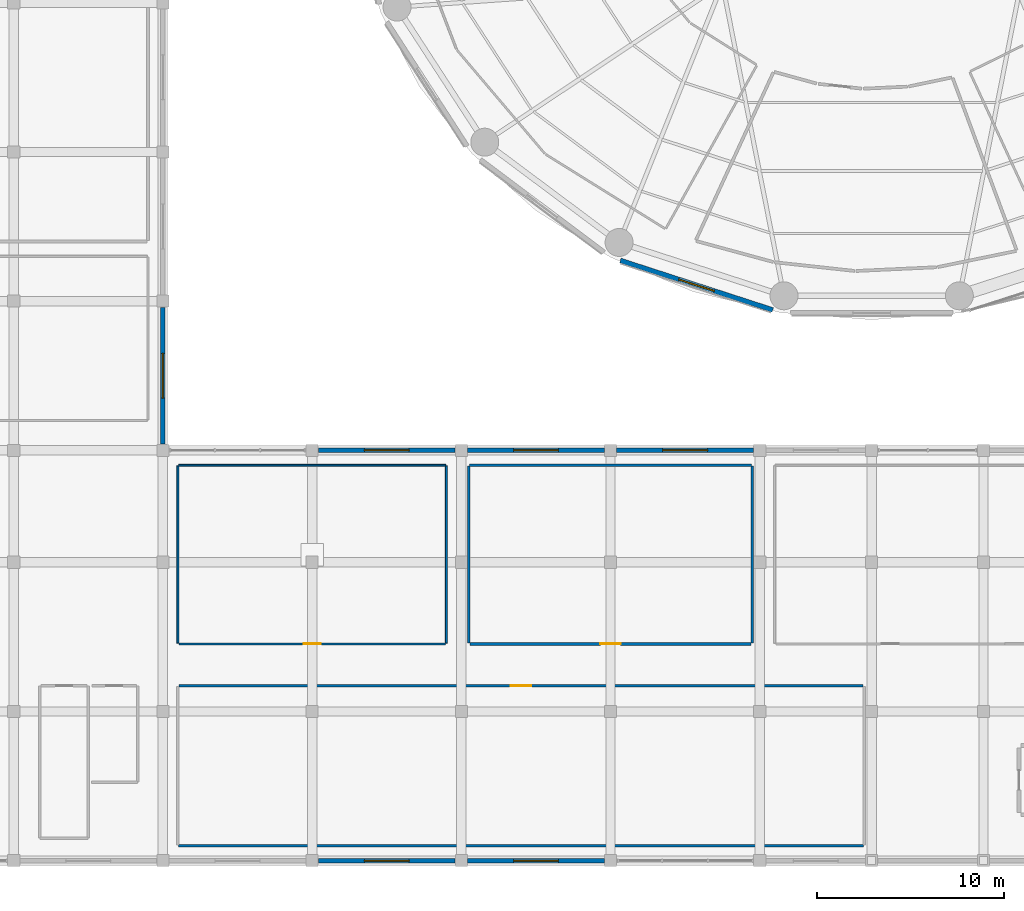
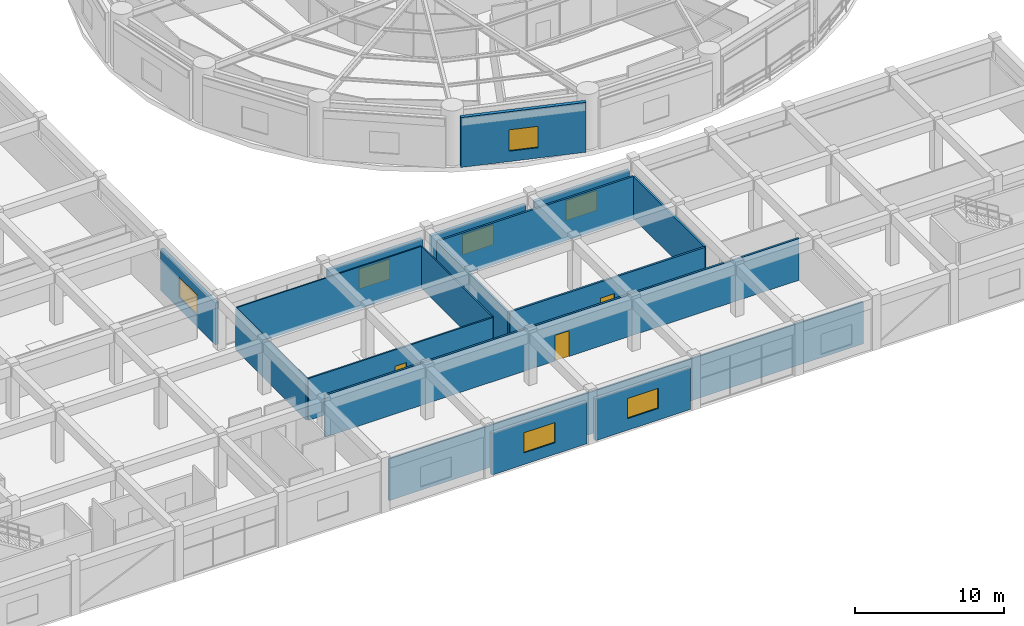
# One storey, part 39 of 52: 17 walls, 7 windows, 3 doors, 10 openings.
"""IFC4 building model written with IfcOpenShell, lengths in metres."""

from ifc_helpers import new_model, si_unit, direction, frame, frame_2d, origin, place, context, subcontext, project, spatial, rectangle, extrude, material, layer, layer_set, type_object, element, fill, save


model = new_model("IFC4")

# Units and contexts
model_context = context("Model", 3, precision=1e-05, world=origin(), true_north=direction((0.0, 1.0)))
body_context = subcontext(model_context, "Body", "Model", "MODEL_VIEW")
ifc_project = project(units=[si_unit("LENGTHUNIT", "METRE"), si_unit("AREAUNIT", "SQUARE_METRE"), si_unit("VOLUMEUNIT", "CUBIC_METRE"), si_unit("PLANEANGLEUNIT", "RADIAN"), si_unit("MASSUNIT", "GRAM", prefix="KILO")], contexts=[model_context])

# Site, building, storey
site_placement = place(None, origin())
site = spatial("IfcSite", under=ifc_project, at=site_placement, CompositionType="ELEMENT")
building_placement = place(site_placement, origin())
building = spatial("IfcBuilding", under=site, at=building_placement, Name="Kelanora Arch Commons", CompositionType="ELEMENT")
storey_placement = place(building_placement, frame((0.0, 0.0, 13.5)))
storey = spatial("IfcBuildingStorey", under=building, at=storey_placement, Name="L03", CompositionType="ELEMENT", Elevation=13.5)

# Wall, opening, door
ifc_material_1 = material(Name="Autoclaved aerated concrete blockwork with fire plaster", Category="masonry")
ifc_layer_1 = layer(ifc_material_1, 0.14990234375)
ifc_layer_set_1 = layer_set([ifc_layer_1], Name="Autoclaved aerated concrete blockwork with fire plaster")
wall_type_1 = type_object("IfcWallType", Name="W-COMP-150", PredefinedType="PARTITIONING", material=ifc_layer_set_1)
wall_1_placement = place(storey_placement, frame((52.4599609375, 15.6201171875, 0.0), z_axis=(0.0, 0.0, 1.0), x_axis=(1.0, 0.0, 0.0)))
wall_1 = element("IfcWall", 1, at=wall_1_placement, inside=storey, type_object=wall_type_1, Name="Market Culinary Cold Room and Pantry Store L03 Entry Partition", PredefinedType="PARTITIONING", context=body_context, shape_type="SweptSolid", body=[
    extrude(rectangle(XDim=15.080078125, YDim=0.14990234375, at=frame_2d((7.5400390625, 0.0))), origin(), (0.0, 0.0, 1.0), 3.425048828125),
])
opening_1_placement = place(wall_1_placement, frame((7.0, 0.0, 0.0)))
opening_1 = element("IfcOpeningElement", 2, at=opening_1_placement, cuts=wall_1, Name="Opening D-PLT1", PredefinedType="OPENING", context=body_context, shape_type="SweptSolid", body=[
    extrude(rectangle(XDim=1.080078125, YDim=2.10009765625, at=frame_2d((0.5400390625, 1.050048828125))), frame((0.0, 0.0849609375, 0.0), z_axis=(0.0, -1.0, 0.0), x_axis=(1.0, 0.0, 0.0)), (0.0, 0.0, 1.0), 0.169921875),
])
ifc_material_2 = material(Name="Galvanised steel plant and riser fire door", Category="steel")
door_type_1 = type_object("IfcDoorType", Name="D-PLT-110", OperationType="NOTDEFINED", PredefinedType="DOOR", material=ifc_material_2)
door_1_placement = place(opening_1_placement, origin())
door_1 = element("IfcDoor", 3, at=door_1_placement, inside=storey, type_object=door_type_1, Name="Market Culinary Cold Room and Pantry Store L03 Door", OperationType="SINGLE_SWING_LEFT", OverallHeight=2.10009765625, OverallWidth=1.080078125, PredefinedType="DOOR", context=body_context, shape_type="SweptSolid", body=[
    extrude(rectangle(XDim=1.080078125, YDim=2.10009765625, at=frame_2d((0.5400390625, 1.050048828125))), frame((0.0, 0.02490234375, 0.0), z_axis=(0.0, -1.0, 0.0), x_axis=(1.0, 0.0, 0.0)), (0.0, 0.0, 1.0), 0.050048828125),
])
fill(opening_1, door_1)

wall_2_placement = place(storey_placement, frame((36.860107421875, 13.3798828125, 0.0), z_axis=(0.0, 0.0, 1.0), x_axis=(1.0, 0.0, 0.0)))
wall_2 = element("IfcWall", 4, at=wall_2_placement, inside=storey, type_object=wall_type_1, Name="Market South Catering Cold Room and Store L03 Entry Partition", PredefinedType="PARTITIONING", context=body_context, shape_type="SweptSolid", body=[
    extrude(rectangle(XDim=36.679931640625, YDim=0.14990234375, at=frame_2d((18.33984375, 0.0))), origin(), (0.0, 0.0, 1.0), 3.425048828125),
])
opening_2_placement = place(wall_2_placement, frame((17.800048828125, 0.0, 0.0)))
opening_2 = element("IfcOpeningElement", 5, at=opening_2_placement, cuts=wall_2, Name="Opening D-PLT1", PredefinedType="OPENING", context=body_context, shape_type="SweptSolid", body=[
    extrude(rectangle(XDim=1.080078125, YDim=2.10009765625, at=frame_2d((0.5400390625, 1.050048828125))), frame((0.0, 0.0849609375, 0.0), z_axis=(0.0, -1.0, 0.0), x_axis=(1.0, 0.0, 0.0)), (0.0, 0.0, 1.0), 0.169921875),
])
door_2_placement = place(opening_2_placement, origin())
door_2 = element("IfcDoor", 6, at=door_2_placement, inside=storey, type_object=door_type_1, Name="Market South Catering Cold Room and Store L03 Door", OperationType="SINGLE_SWING_LEFT", OverallHeight=2.10009765625, OverallWidth=1.080078125, PredefinedType="DOOR", context=body_context, shape_type="SweptSolid", body=[
    extrude(rectangle(XDim=1.080078125, YDim=2.10009765625, at=frame_2d((0.5400390625, 1.050048828125))), frame((0.0, 0.02490234375, 0.0), z_axis=(0.0, -1.0, 0.0), x_axis=(1.0, 0.0, 0.0)), (0.0, 0.0, 1.0), 0.050048828125),
])
fill(opening_2, door_2)

# Walls
wall_3_placement = place(storey_placement, frame((67.60009765625, 15.659912109375, 0.0), z_axis=(0.0, 0.0, 1.0), x_axis=(0.0, 1.0, 0.0)))
element("IfcWall", 7, at=wall_3_placement, inside=storey, type_object=wall_type_1, Name="Market Culinary Cold Room and Pantry Store L03 Enclosure Partition 2", PredefinedType="PARTITIONING", context=body_context, shape_type="SweptSolid", body=[
    extrude(rectangle(XDim=9.5, YDim=0.14990234375, at=frame_2d((4.75, 0.0))), origin(), (0.0, 0.0, 1.0), 3.425048828125),
])
wall_4_placement = place(storey_placement, frame((67.56005859375, 25.199951171875, 0.0), z_axis=(0.0, 0.0, 1.0), x_axis=(-1.0, 0.0, 0.0)))
element("IfcWall", 8, at=wall_4_placement, inside=storey, type_object=wall_type_1, Name="Market Culinary Cold Room and Pantry Store L03 Enclosure Partition 3", PredefinedType="PARTITIONING", context=body_context, shape_type="SweptSolid", body=[
    extrude(rectangle(XDim=15.1201171875, YDim=0.14990234375, at=frame_2d((7.56005859375, 0.0))), origin(), (0.0, 0.0, 1.0), 3.425048828125),
])
wall_5_placement = place(storey_placement, frame((52.39990234375, 25.159912109375, 0.0), z_axis=(0.0, 0.0, 1.0), x_axis=(0.0, -1.0, 0.0)))
element("IfcWall", 9, at=wall_5_placement, inside=storey, type_object=wall_type_1, Name="Market Culinary Cold Room and Pantry Store L03 Enclosure Partition 4", PredefinedType="PARTITIONING", context=body_context, shape_type="SweptSolid", body=[
    extrude(rectangle(XDim=9.5, YDim=0.14990234375, at=frame_2d((4.75, 0.0))), origin(), (0.0, 0.0, 1.0), 3.425048828125),
])
wall_6_placement = place(storey_placement, frame((36.840087890625, 4.800048828125, 0.0), z_axis=(0.0, 0.0, 1.0), x_axis=(1.0, 0.0, 0.0)))
element("IfcWall", 10, at=wall_6_placement, inside=storey, type_object=wall_type_1, Name="Market South Catering Cold Room and Store L03 Enclosure Partition 1", PredefinedType="PARTITIONING", context=body_context, shape_type="SweptSolid", body=[
    extrude(rectangle(XDim=36.719970703125, YDim=0.14990234375, at=frame_2d((18.35986328125, 0.0))), origin(), (0.0, 0.0, 1.0), 3.425048828125),
])

# Wall, opening, window
ifc_material_3 = material(Name="Precast concrete C40/50 with terracotta ceramic cladding", Category="masonry")
ifc_layer_2 = layer(ifc_material_3, 0.25)
ifc_layer_set_2 = layer_set([ifc_layer_2], Name="Precast concrete C40/50 with terracotta ceramic cladding")
wall_type_2 = type_object("IfcWallType", Name="W-EXT-MKT", PredefinedType="SOLIDWALL", material=ifc_layer_set_2)
wall_7_placement = place(storey_placement, frame((44.330078125, 4.0, 0.0), z_axis=(0.0, 0.0, 1.0), x_axis=(1.0, 0.0, 0.0)))
wall_7 = element("IfcWall", 11, at=wall_7_placement, inside=storey, type_object=wall_type_2, Name="Market Hall Exterior Wall L03-05", PredefinedType="SOLIDWALL", context=body_context, shape_type="SweptSolid", body=[
    extrude(rectangle(XDim=7.33984375, YDim=0.25, at=frame_2d((3.669921875, 0.0))), origin(), (0.0, 0.0, 1.0), 3.419921875),
])
opening_3_placement = place(wall_7_placement, frame((2.469970703125, 0.0, 0.949951171875)))
opening_3 = element("IfcOpeningElement", 12, at=opening_3_placement, cuts=wall_7, Name="Opening WN-03", PredefinedType="OPENING", context=body_context, shape_type="SweptSolid", body=[
    extrude(rectangle(XDim=2.39990234375, YDim=1.64990234375, at=frame_2d((1.199951171875, 0.824951171875))), frame((0.0, 0.135009765625, 0.0), z_axis=(0.0, -1.0, 0.0), x_axis=(1.0, 0.0, 0.0)), (0.0, 0.0, 1.0), 0.27001953125),
])
ifc_material_4 = material(Name="Bronze-terracotta aluminium monsoon clerestory window", Category="masonry")
window_type_1 = type_object("IfcWindowType", Name="WIN-MKT-24", PartitioningType="TRIPLE_PANEL_VERTICAL", PredefinedType="WINDOW", material=ifc_material_4)
window_1_placement = place(opening_3_placement, origin())
window_1 = element("IfcWindow", 13, at=window_1_placement, inside=storey, type_object=window_type_1, Name="Market Hall Clerestory Window L03-05", OverallHeight=1.64990234375, OverallWidth=2.39990234375, PartitioningType="SINGLE_PANEL", PredefinedType="WINDOW", context=body_context, shape_type="SweptSolid", body=[
    extrude(rectangle(XDim=2.39990234375, YDim=1.64990234375, at=frame_2d((1.199951171875, 0.824951171875))), frame((0.0, 0.030029296875, 0.0), z_axis=(0.0, -1.0, 0.0), x_axis=(1.0, 0.0, 0.0)), (0.0, 0.0, 1.0), 0.06005859375),
])
fill(opening_3, window_1)

wall_8_placement = place(storey_placement, frame((52.330078125, 4.0, 0.0), z_axis=(0.0, 0.0, 1.0), x_axis=(1.0, 0.0, 0.0)))
wall_8 = element("IfcWall", 14, at=wall_8_placement, inside=storey, type_object=wall_type_2, Name="Market Hall Exterior Wall L03-06", PredefinedType="SOLIDWALL", context=body_context, shape_type="SweptSolid", body=[
    extrude(rectangle(XDim=7.33984375, YDim=0.25, at=frame_2d((3.669921875, 0.0))), origin(), (0.0, 0.0, 1.0), 3.419921875),
])
opening_4_placement = place(wall_8_placement, frame((2.469970703125, 0.0, 0.949951171875)))
opening_4 = element("IfcOpeningElement", 15, at=opening_4_placement, cuts=wall_8, Name="Opening WN-03", PredefinedType="OPENING", context=body_context, shape_type="SweptSolid", body=[
    extrude(rectangle(XDim=2.39990234375, YDim=1.64990234375, at=frame_2d((1.199951171875, 0.824951171875))), frame((0.0, 0.135009765625, 0.0), z_axis=(0.0, -1.0, 0.0), x_axis=(1.0, 0.0, 0.0)), (0.0, 0.0, 1.0), 0.27001953125),
])
window_2_placement = place(opening_4_placement, origin())
window_2 = element("IfcWindow", 16, at=window_2_placement, inside=storey, type_object=window_type_1, Name="Market Hall Clerestory Window L03-06", OverallHeight=1.64990234375, OverallWidth=2.39990234375, PartitioningType="SINGLE_PANEL", PredefinedType="WINDOW", context=body_context, shape_type="SweptSolid", body=[
    extrude(rectangle(XDim=2.39990234375, YDim=1.64990234375, at=frame_2d((1.199951171875, 0.824951171875))), frame((0.0, 0.030029296875, 0.0), z_axis=(0.0, -1.0, 0.0), x_axis=(1.0, 0.0, 0.0)), (0.0, 0.0, 1.0), 0.06005859375),
])
fill(opening_4, window_2)

wall_9_placement = place(storey_placement, frame((67.669921875, 26.0, 0.0), z_axis=(0.0, 0.0, 1.0), x_axis=(-1.0, 0.0, 0.0)))
wall_9 = element("IfcWall", 17, at=wall_9_placement, inside=storey, type_object=wall_type_2, Name="Market Hall Exterior Wall L03-19", PredefinedType="SOLIDWALL", context=body_context, shape_type="SweptSolid", body=[
    extrude(rectangle(XDim=7.33984375, YDim=0.25, at=frame_2d((3.669921875, 0.0))), origin(), (0.0, 0.0, 1.0), 3.419921875),
])
opening_5_placement = place(wall_9_placement, frame((2.469970703125, 0.0, 0.949951171875)))
opening_5 = element("IfcOpeningElement", 18, at=opening_5_placement, cuts=wall_9, Name="Opening WN-03", PredefinedType="OPENING", context=body_context, shape_type="SweptSolid", body=[
    extrude(rectangle(XDim=2.39990234375, YDim=1.64990234375, at=frame_2d((1.199951171875, 0.824951171875))), frame((0.0, 0.135009765625, 0.0), z_axis=(0.0, -1.0, 0.0), x_axis=(1.0, 0.0, 0.0)), (0.0, 0.0, 1.0), 0.27001953125),
])
window_3_placement = place(opening_5_placement, origin())
window_3 = element("IfcWindow", 19, at=window_3_placement, inside=storey, type_object=window_type_1, Name="Market Hall Clerestory Window L03-19", OverallHeight=1.64990234375, OverallWidth=2.39990234375, PartitioningType="SINGLE_PANEL", PredefinedType="WINDOW", context=body_context, shape_type="SweptSolid", body=[
    extrude(rectangle(XDim=2.39990234375, YDim=1.64990234375, at=frame_2d((1.199951171875, 0.824951171875))), frame((0.0, 0.030029296875, 0.0), z_axis=(0.0, -1.0, 0.0), x_axis=(1.0, 0.0, 0.0)), (0.0, 0.0, 1.0), 0.06005859375),
])
fill(opening_5, window_3)

wall_10_placement = place(storey_placement, frame((59.669921875, 26.0, 0.0), z_axis=(0.0, 0.0, 1.0), x_axis=(-1.0, 0.0, 0.0)))
wall_10 = element("IfcWall", 20, at=wall_10_placement, inside=storey, type_object=wall_type_2, Name="Market Hall Exterior Wall L03-20", PredefinedType="SOLIDWALL", context=body_context, shape_type="SweptSolid", body=[
    extrude(rectangle(XDim=7.33984375, YDim=0.25, at=frame_2d((3.669921875, 0.0))), origin(), (0.0, 0.0, 1.0), 3.419921875),
])
opening_6_placement = place(wall_10_placement, frame((2.469970703125, 0.0, 0.949951171875)))
opening_6 = element("IfcOpeningElement", 21, at=opening_6_placement, cuts=wall_10, Name="Opening WN-03", PredefinedType="OPENING", context=body_context, shape_type="SweptSolid", body=[
    extrude(rectangle(XDim=2.39990234375, YDim=1.64990234375, at=frame_2d((1.199951171875, 0.824951171875))), frame((0.0, 0.135009765625, 0.0), z_axis=(0.0, -1.0, 0.0), x_axis=(1.0, 0.0, 0.0)), (0.0, 0.0, 1.0), 0.27001953125),
])
window_4_placement = place(opening_6_placement, origin())
window_4 = element("IfcWindow", 22, at=window_4_placement, inside=storey, type_object=window_type_1, Name="Market Hall Clerestory Window L03-20", OverallHeight=1.64990234375, OverallWidth=2.39990234375, PartitioningType="SINGLE_PANEL", PredefinedType="WINDOW", context=body_context, shape_type="SweptSolid", body=[
    extrude(rectangle(XDim=2.39990234375, YDim=1.64990234375, at=frame_2d((1.199951171875, 0.824951171875))), frame((0.0, 0.030029296875, 0.0), z_axis=(0.0, -1.0, 0.0), x_axis=(1.0, 0.0, 0.0)), (0.0, 0.0, 1.0), 0.06005859375),
])
fill(opening_6, window_4)

wall_11_placement = place(storey_placement, frame((51.669921875, 26.0, 0.0), z_axis=(0.0, 0.0, 1.0), x_axis=(-1.0, 0.0, 0.0)))
wall_11 = element("IfcWall", 23, at=wall_11_placement, inside=storey, type_object=wall_type_2, Name="Market Hall Exterior Wall L03-21", PredefinedType="SOLIDWALL", context=body_context, shape_type="SweptSolid", body=[
    extrude(rectangle(XDim=7.33984375, YDim=0.25, at=frame_2d((3.669921875, 0.0))), origin(), (0.0, 0.0, 1.0), 3.419921875),
])
opening_7_placement = place(wall_11_placement, frame((2.469970703125, 0.0, 0.949951171875)))
opening_7 = element("IfcOpeningElement", 24, at=opening_7_placement, cuts=wall_11, Name="Opening WN-03", PredefinedType="OPENING", context=body_context, shape_type="SweptSolid", body=[
    extrude(rectangle(XDim=2.39990234375, YDim=1.64990234375, at=frame_2d((1.199951171875, 0.824951171875))), frame((0.0, 0.135009765625, 0.0), z_axis=(0.0, -1.0, 0.0), x_axis=(1.0, 0.0, 0.0)), (0.0, 0.0, 1.0), 0.27001953125),
])
window_5_placement = place(opening_7_placement, origin())
window_5 = element("IfcWindow", 25, at=window_5_placement, inside=storey, type_object=window_type_1, Name="Market Hall Clerestory Window L03-21", OverallHeight=1.64990234375, OverallWidth=2.39990234375, PartitioningType="SINGLE_PANEL", PredefinedType="WINDOW", context=body_context, shape_type="SweptSolid", body=[
    extrude(rectangle(XDim=2.39990234375, YDim=1.64990234375, at=frame_2d((1.199951171875, 0.824951171875))), frame((0.0, 0.030029296875, 0.0), z_axis=(0.0, -1.0, 0.0), x_axis=(1.0, 0.0, 0.0)), (0.0, 0.0, 1.0), 0.06005859375),
])
fill(opening_7, window_5)

wall_12_placement = place(storey_placement, frame((36.0, 26.330078125, 0.0), z_axis=(0.0, 0.0, 1.0), x_axis=(0.0, 1.0, 0.0)))
wall_12 = element("IfcWall", 26, at=wall_12_placement, inside=storey, type_object=wall_type_2, Name="Market Hall Exterior Wall L03-23", PredefinedType="SOLIDWALL", context=body_context, shape_type="SweptSolid", body=[
    extrude(rectangle(XDim=7.33984375, YDim=0.25, at=frame_2d((3.669921875, 0.0))), origin(), (0.0, 0.0, 1.0), 3.419921875),
])
opening_8_placement = place(wall_12_placement, frame((2.469970703125, 0.0, 0.949951171875)))
opening_8 = element("IfcOpeningElement", 27, at=opening_8_placement, cuts=wall_12, Name="Opening WN-03", PredefinedType="OPENING", context=body_context, shape_type="SweptSolid", body=[
    extrude(rectangle(XDim=2.39990234375, YDim=1.64990234375, at=frame_2d((1.199951171875, 0.824951171875))), frame((0.0, 0.135009765625, 0.0), z_axis=(0.0, -1.0, 0.0), x_axis=(1.0, 0.0, 0.0)), (0.0, 0.0, 1.0), 0.27001953125),
])
window_6_placement = place(opening_8_placement, origin())
window_6 = element("IfcWindow", 28, at=window_6_placement, inside=storey, type_object=window_type_1, Name="Market Hall Clerestory Window L03-23", OverallHeight=1.64990234375, OverallWidth=2.39990234375, PartitioningType="SINGLE_PANEL", PredefinedType="WINDOW", context=body_context, shape_type="SweptSolid", body=[
    extrude(rectangle(XDim=2.39990234375, YDim=1.64990234375, at=frame_2d((1.199951171875, 0.824951171875))), frame((0.0, 0.030029296875, 0.0), z_axis=(0.0, -1.0, 0.0), x_axis=(1.0, 0.0, 0.0)), (0.0, 0.0, 1.0), 0.06005859375),
])
fill(opening_8, window_6)

ifc_material_5 = material(Name="Precast concrete C40/50 with terracotta rainscreen", Category="masonry")
ifc_layer_3 = layer(ifc_material_5, 0.260009765625)
ifc_layer_set_3 = layer_set([ifc_layer_3], Name="Precast concrete C40/50 with terracotta rainscreen")
wall_type_3 = type_object("IfcWallType", Name="W-EXT-TC", PredefinedType="SOLIDWALL", material=ifc_layer_set_3)
wall_13_placement = place(storey_placement, frame((60.5263671875, 36.178466796875, 0.0), z_axis=(0.0, 0.0, 1.0), x_axis=(0.951039914291, -0.309068085421, 0.0)))
wall_13 = element("IfcWall", 29, at=wall_13_placement, inside=storey, type_object=wall_type_3, Name="Terracotta Exterior Wall L03-B12", PredefinedType="SOLIDWALL", context=body_context, shape_type="SweptSolid", body=[
    extrude(rectangle(XDim=8.593505859375, YDim=0.260009765625, at=frame_2d((4.296875, 0.0))), origin(), (0.0, 0.0, 1.0), 4.0849609375),
])
opening_9_placement = place(wall_13_placement, frame((3.297119140625, 0.0, 0.85009765625)))
opening_9 = element("IfcOpeningElement", 30, at=opening_9_placement, cuts=wall_13, Name="Opening WN-05", PredefinedType="OPENING", context=body_context, shape_type="SweptSolid", body=[
    extrude(rectangle(XDim=2.0, YDim=1.75, at=frame_2d((1.0, 0.875))), frame((0.0, 0.14013671875, 0.0), z_axis=(0.0, -1.0, 0.0), x_axis=(1.0, 0.0, 0.0)), (0.0, 0.0, 1.0), 0.280029296875),
])
ifc_material_6 = material(Name="Terracotta-anodised aluminium podium window", Category="masonry")
window_type_2 = type_object("IfcWindowType", Name="WIN-POD-20", PartitioningType="TRIPLE_PANEL_VERTICAL", PredefinedType="WINDOW", material=ifc_material_6)
window_7_placement = place(opening_9_placement, origin())
window_7 = element("IfcWindow", 31, at=window_7_placement, inside=storey, type_object=window_type_2, Name="Podium Window L03-B12", OverallHeight=1.75, OverallWidth=2.0, PartitioningType="SINGLE_PANEL", PredefinedType="WINDOW", context=body_context, shape_type="SweptSolid", body=[
    extrude(rectangle(XDim=2.0, YDim=1.75, at=frame_2d((1.0, 0.875))), frame((0.0, 0.030029296875, 0.0), z_axis=(0.0, -1.0, 0.0), x_axis=(1.0, 0.0, 0.0)), (0.0, 0.0, 1.0), 0.06005859375),
])
fill(opening_9, window_7)

# Walls
ifc_material_7 = material(Name="Lightweight fire-rated acoustic stud partition")
ifc_layer_4 = layer(ifc_material_7, 0.10009765625)
ifc_layer_set_4 = layer_set([ifc_layer_4], Name="Lightweight fire-rated acoustic stud partition")
wall_type_4 = type_object("IfcWallType", Name="W-PART-100", PredefinedType="PARTITIONING", material=ifc_layer_set_4)
wall_14_placement = place(storey_placement, frame((51.199951171875, 15.659912109375, 0.0), z_axis=(0.0, 0.0, 1.0), x_axis=(0.0, 1.0, 0.0)))
element("IfcWall", 32, at=wall_14_placement, inside=storey, type_object=wall_type_4, Name="Colombo Culinary Teaching Dining Hall Enclosure Partition 2", PredefinedType="PARTITIONING", context=body_context, shape_type="SweptSolid", body=[
    extrude(rectangle(XDim=9.5, YDim=0.10009765625, at=frame_2d((4.75, 0.0))), origin(), (0.0, 0.0, 1.0), 3.425048828125),
])
wall_15_placement = place(storey_placement, frame((51.159912109375, 25.199951171875, 0.0), z_axis=(0.0, 0.0, 1.0), x_axis=(-1.0, 0.0, 0.0)))
element("IfcWall", 33, at=wall_15_placement, inside=storey, type_object=wall_type_4, Name="Colombo Culinary Teaching Dining Hall Enclosure Partition 3", PredefinedType="PARTITIONING", context=body_context, shape_type="SweptSolid", body=[
    extrude(rectangle(XDim=14.31982421875, YDim=0.10009765625, at=frame_2d((7.159912109375, 0.0))), origin(), (0.0, 0.0, 1.0), 3.425048828125),
])
wall_16_placement = place(storey_placement, frame((36.800048828125, 25.159912109375, 0.0), z_axis=(0.0, 0.0, 1.0), x_axis=(0.0, -1.0, 0.0)))
element("IfcWall", 34, at=wall_16_placement, inside=storey, type_object=wall_type_4, Name="Colombo Culinary Teaching Dining Hall Enclosure Partition 4", PredefinedType="PARTITIONING", context=body_context, shape_type="SweptSolid", body=[
    extrude(rectangle(XDim=9.5, YDim=0.10009765625, at=frame_2d((4.75, 0.0))), origin(), (0.0, 0.0, 1.0), 3.425048828125),
])

# Wall, opening, door
ifc_material_8 = material(Name="Acoustic twin-stud fire-rated gypsum partition")
ifc_layer_5 = layer(ifc_material_8, 0.1201171875)
ifc_layer_set_5 = layer_set([ifc_layer_5], Name="Acoustic twin-stud fire-rated gypsum partition")
wall_type_5 = type_object("IfcWallType", Name="W-PART-120", PredefinedType="PARTITIONING", material=ifc_layer_set_5)
wall_17_placement = place(storey_placement, frame((36.860107421875, 15.6201171875, 0.0), z_axis=(0.0, 0.0, 1.0), x_axis=(1.0, 0.0, 0.0)))
wall_17 = element("IfcWall", 35, at=wall_17_placement, inside=storey, type_object=wall_type_5, Name="Colombo Culinary Teaching Dining Hall Entry Partition", PredefinedType="PARTITIONING", context=body_context, shape_type="SweptSolid", body=[
    extrude(rectangle(XDim=14.27978515625, YDim=0.1201171875, at=frame_2d((7.139892578125, 0.0))), origin(), (0.0, 0.0, 1.0), 3.425048828125),
])
opening_10_placement = place(wall_17_placement, frame((6.68994140625, 0.0, 0.0)))
opening_10 = element("IfcOpeningElement", 36, at=opening_10_placement, cuts=wall_17, Name="Opening D-RM1", PredefinedType="OPENING", context=body_context, shape_type="SweptSolid", body=[
    extrude(rectangle(XDim=0.89990234375, YDim=2.080078125, at=frame_2d((0.449951171875, 1.0400390625))), frame((0.0, 0.070068359375, 0.0), z_axis=(0.0, -1.0, 0.0), x_axis=(1.0, 0.0, 0.0)), (0.0, 0.0, 1.0), 0.14013671875),
])
ifc_material_9 = material(Name="Acoustic fire-rated timber study and lounge door", Category="wood")
door_type_2 = type_object("IfcDoorType", Name="D-ROOM-90", OperationType="NOTDEFINED", PredefinedType="DOOR", material=ifc_material_9)
door_3_placement = place(opening_10_placement, origin())
door_3 = element("IfcDoor", 37, at=door_3_placement, inside=storey, type_object=door_type_2, Name="Colombo Culinary Teaching Dining Hall Door", OperationType="SINGLE_SWING_RIGHT", OverallHeight=2.080078125, OverallWidth=0.89990234375, PredefinedType="DOOR", context=body_context, shape_type="SweptSolid", body=[
    extrude(rectangle(XDim=0.89990234375, YDim=2.080078125, at=frame_2d((0.449951171875, 1.0400390625))), frame((0.0, 0.02490234375, 0.0), z_axis=(0.0, -1.0, 0.0), x_axis=(1.0, 0.0, 0.0)), (0.0, 0.0, 1.0), 0.050048828125),
])
fill(opening_10, door_3)

save(model, "model.ifc")
